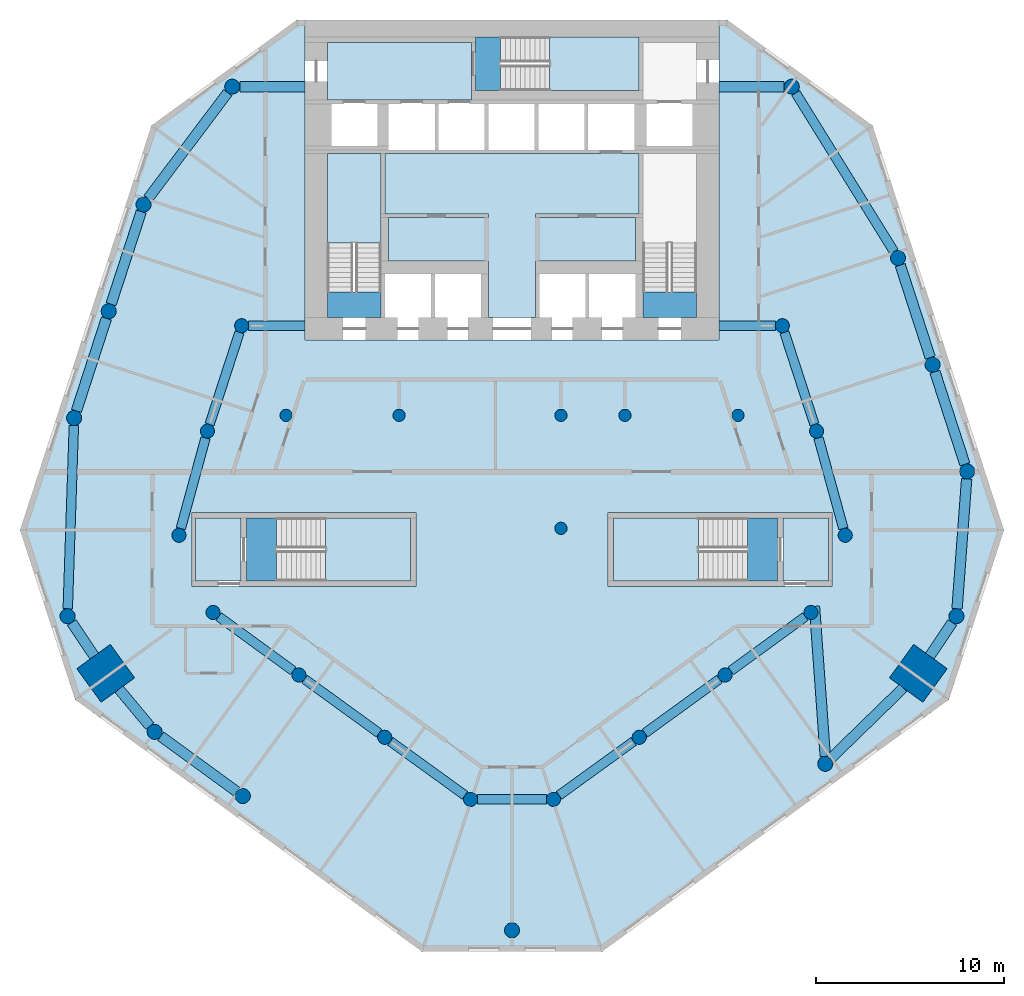
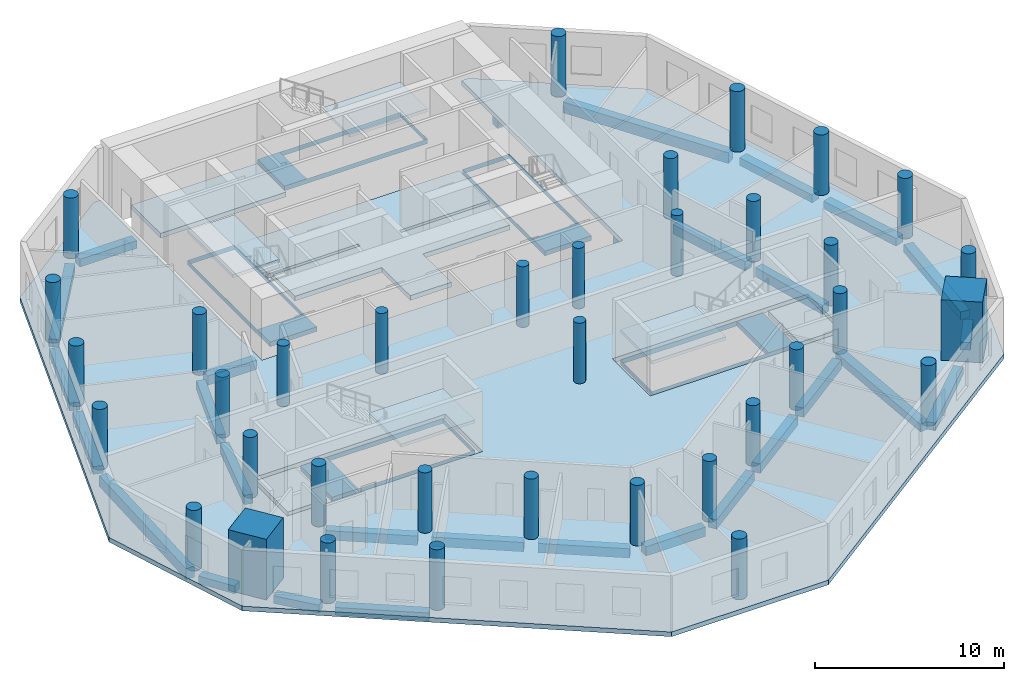
# One storey, part 1 of 9: 36 columns, 29 beams, 14 slabs, 4 elements without a shape of their own.
"""IFC4 building model written with IfcOpenShell, lengths in metres."""

import ifcopenshell
import ifcopenshell.guid

model = None  # the IFC model being written
_history = None  # IfcOwnerHistory: only IFC2X3 demands one
_inside = {}  # id of a spatial element -> (the spatial element, [elements in it])
_under = {}  # id of a project, library or spatial element -> (it, [spatial elements below it])
_declared = {}  # id of a project -> (the project, [libraries it declares])
_typed = {}  # id of a type object -> (the type object, [elements of that type])
_made_of = {}  # id of a material, layer set ... -> (it, [elements and type objects made of it])


def new_model(schema):
    """Start an empty IFC model of exactly this schema.

    Asked for "IFC4X3", IfcOpenShell would pick the latest addendum, in which some entities
    have other attributes; the version numbers below select the first issue.
    IFC2X3 requires an IfcOwnerHistory on every rooted entity: one is made here for all.
    """
    global model, _history
    if schema == "IFC4X3":
        model = ifcopenshell.file(schema_version=(4, 3, 0, 0))
    else:
        model = ifcopenshell.file(schema=schema)
    _inside.clear()
    _under.clear()
    _declared.clear()
    _typed.clear()
    _made_of.clear()
    _history = None
    if model.schema == "IFC2X3":
        org = make("IfcOrganization", Name="unknown")
        user = make(
            "IfcPersonAndOrganization",
            ThePerson=make("IfcPerson", FamilyName="unknown"),
            TheOrganization=org,
        )
        app = make(
            "IfcApplication",
            ApplicationDeveloper=org,
            Version="unknown",
            ApplicationFullName="unknown",
            ApplicationIdentifier="unknown",
        )
        _history = make(
            "IfcOwnerHistory",
            OwningUser=user,
            OwningApplication=app,
            ChangeAction="ADDED",
            CreationDate=0,
        )
    return model


def make(cls, **values):
    """One entity of the class cls with the attributes given. An attribute that is None is left unset."""
    return model.create_entity(
        cls, **{name: value for name, value in values.items() if value is not None}
    )


def rooted(cls, **values):
    """An entity with a GlobalId (a new one), such as an element, a storey or a relation."""
    return make(cls, GlobalId=ifcopenshell.guid.new(), OwnerHistory=_history, **values)


def si_unit(unit_type, name, prefix=None):
    """IfcSIUnit, for example si_unit("LENGTHUNIT", "METRE", prefix="MILLI")."""
    return make("IfcSIUnit", UnitType=unit_type, Prefix=prefix, Name=name)


def assignment(units):
    """IfcUnitAssignment: the units of a project."""
    return None if units is None else make("IfcUnitAssignment", Units=units)


def point(xyz):
    """IfcCartesianPoint."""
    return None if xyz is None else make("IfcCartesianPoint", Coordinates=xyz)


def direction(xyz):
    """IfcDirection."""
    return None if xyz is None else make("IfcDirection", DirectionRatios=xyz)


def frame(location, z_axis=None, x_axis=None):
    """IfcAxis2Placement3D, a coordinate frame: its origin and axes. An axis left out is left unset."""
    return make(
        "IfcAxis2Placement3D",
        Location=point(location),
        Axis=direction(z_axis),
        RefDirection=direction(x_axis),
    )


def frame_2d(location, x_axis=None):
    """IfcAxis2Placement2D, a coordinate frame in the plane: its origin and x axis."""
    return make(
        "IfcAxis2Placement2D", Location=point(location), RefDirection=direction(x_axis)
    )


def origin():
    """The frame at (0, 0, 0) with its axes left unset."""
    return frame((0.0, 0.0, 0.0))


def origin_2d():
    """The frame at (0, 0) in the plane with its x axis left unset."""
    return frame_2d((0.0, 0.0))


def place(relative_to, where):
    """IfcLocalPlacement: puts the frame where relative to a parent placement (None: the world)."""
    return make(
        "IfcLocalPlacement", PlacementRelTo=relative_to, RelativePlacement=where
    )


def context(
    kind, dimensions, precision=None, world=None, true_north=None, identifier=None
):
    """IfcGeometricRepresentationContext, for example the 3D "Model" context."""
    return make(
        "IfcGeometricRepresentationContext",
        ContextIdentifier=identifier,
        ContextType=kind,
        CoordinateSpaceDimension=dimensions,
        Precision=precision,
        WorldCoordinateSystem=world,
        TrueNorth=true_north,
    )


def subcontext(parent, identifier, kind, view, scale=None):
    """IfcGeometricRepresentationSubContext, for example "Body" below "Model"."""
    return make(
        "IfcGeometricRepresentationSubContext",
        ContextIdentifier=identifier,
        ContextType=kind,
        ParentContext=parent,
        TargetScale=scale,
        TargetView=view,
    )


def project(units=None, contexts=None):
    """IfcProject with its units and contexts."""
    return rooted(
        "IfcProject",
        Name="project",
        RepresentationContexts=contexts,
        UnitsInContext=assignment(units),
    )


def spatial(cls, under=None, at=None, **own):
    """A site, building, storey or space (cls), placed at a placement, below another one or the project."""
    s = rooted(cls, ObjectPlacement=at, **own)
    if under is not None:
        _under.setdefault(under.id(), (under, []))[1].append(s)
    return s


def polyline(points):
    """IfcPolyline through the points."""
    return make("IfcPolyline", Points=[point(p) for p in points])


def profile(cls, at=None, kind="AREA", **sizes):
    """A parametric profile (cls). Its sizes go by their IFC names, for example OverallWidth=200.0."""
    return make(cls, ProfileType=kind, Position=at, **sizes)


def rectangle(**sizes):
    """IfcRectangleProfileDef."""
    return profile("IfcRectangleProfileDef", **sizes)


def circle(**sizes):
    """IfcCircleProfileDef."""
    return profile("IfcCircleProfileDef", **sizes)


def outline(outer, holes=None, kind="AREA"):
    """IfcArbitraryClosedProfileDef: a profile drawn as a closed curve; with holes, ...WithVoids."""
    if holes is None:
        return make("IfcArbitraryClosedProfileDef", ProfileType=kind, OuterCurve=outer)
    return make(
        "IfcArbitraryProfileDefWithVoids",
        ProfileType=kind,
        OuterCurve=outer,
        InnerCurves=holes,
    )


def extrude(swept, where, along, depth):
    """IfcExtrudedAreaSolid: the profile swept, set in the frame where, extruded along a direction by depth."""
    return make(
        "IfcExtrudedAreaSolid",
        SweptArea=swept,
        Position=where,
        ExtrudedDirection=direction(along),
        Depth=depth,
    )


def shape(context_of_items, identifier, shape_type, items):
    """IfcShapeRepresentation: the items that make up one representation, for example the "Body"."""
    return make(
        "IfcShapeRepresentation",
        ContextOfItems=context_of_items,
        RepresentationIdentifier=identifier,
        RepresentationType=shape_type,
        Items=items,
    )


def material(Name=None, Category=None):
    """IfcMaterial."""
    return make("IfcMaterial", Name=Name, Category=Category)


def layer(
    of_material, thickness, ventilated=None, Name=None, Category=None, Priority=None
):
    """IfcMaterialLayer: one layer of a wall or slab, of a material (None: an air gap)."""
    return make(
        "IfcMaterialLayer",
        Material=of_material,
        LayerThickness=thickness,
        IsVentilated=ventilated,
        Name=Name,
        Category=Category,
        Priority=Priority,
    )


def layer_set(layers, Name=None):
    """IfcMaterialLayerSet."""
    return make("IfcMaterialLayerSet", MaterialLayers=layers, LayerSetName=Name)


def material_profile(
    of_material, cross_section, Name=None, Category=None, Priority=None
):
    """IfcMaterialProfile: a cross section and its material."""
    return make(
        "IfcMaterialProfile",
        Name=Name,
        Material=of_material,
        Profile=cross_section,
        Priority=Priority,
        Category=Category,
    )


def profile_set(profiles, Name=None, composite=None):
    """IfcMaterialProfileSet."""
    return make(
        "IfcMaterialProfileSet",
        Name=Name,
        MaterialProfiles=profiles,
        CompositeProfile=composite,
    )


def made_of(thing, what):
    """Note that an element or type object is made of a material, layer set ...; save() writes the relation."""
    if what is not None:
        _made_of.setdefault(what.id(), (what, []))[1].append(thing)
    return thing


def type_object(cls, material=None, **own):
    """A type object (cls), such as IfcWallType, which elements share."""
    return made_of(rooted(cls, **own), material)


def element(
    cls,
    number,
    at=None,
    inside=None,
    cuts=None,
    type_object=None,
    material=None,
    context=None,
    identifier="Body",
    shape_type=None,
    held_by="IfcProductDefinitionShape",
    body=None,
    shapes=None,
    **own,
):
    """One element of the class cls, such as IfcWall. Its Tag is "e" and its number.

    at: its placement. inside: the storey or other place that contains it. cuts: it is an
    opening in that element (IfcRelVoidsElement). A single representation is given by context,
    identifier, shape_type and body (its items); several are given by shapes. held_by: the class
    of the entity that holds the representations. save() writes the other relations.
    """
    e = rooted(cls, Tag="e%d" % number, ObjectPlacement=at, **own)
    if body is not None:
        shapes = [shape(context, identifier, shape_type, body)]
    if shapes is not None:
        e.Representation = make(held_by, Representations=shapes)
    if inside is not None:
        _inside.setdefault(inside.id(), (inside, []))[1].append(e)
    if cuts is not None:
        rooted(
            "IfcRelVoidsElement", RelatingBuildingElement=cuts, RelatedOpeningElement=e
        )
    if type_object is not None:
        _typed.setdefault(type_object.id(), (type_object, []))[1].append(e)
    return made_of(e, material)


def aggregate(whole, parts):
    """IfcRelAggregates: a whole, such as a stair, and the parts it consists of."""
    return rooted("IfcRelAggregates", RelatingObject=whole, RelatedObjects=parts)


def save(model, path):
    """Write the relations noted so far, then the file.

    IfcRelAggregates (storeys below a building ...), IfcRelContainedInSpatialStructure (elements
    in a storey), IfcRelDefinesByType, IfcRelAssociatesMaterial and IfcRelDeclares: one each for
    every whole, place, type object, material and project.
    """
    for whole, parts in _under.values():
        aggregate(whole, parts)
    for where, things in _inside.values():
        rooted(
            "IfcRelContainedInSpatialStructure",
            RelatedElements=things,
            RelatingStructure=where,
        )
    for kind, things in _typed.values():
        rooted("IfcRelDefinesByType", RelatedObjects=things, RelatingType=kind)
    for what, things in _made_of.values():
        rooted("IfcRelAssociatesMaterial", RelatedObjects=things, RelatingMaterial=what)
    for by, libraries in _declared.values():
        rooted("IfcRelDeclares", RelatingContext=by, RelatedDefinitions=libraries)
    model.write(path)


model = new_model("IFC4")

# Units and contexts
model_context = context("Model", 3, precision=1e-05, world=origin(), true_north=direction((0.0, 1.0)))
body_context = subcontext(model_context, "Body", "Model", "MODEL_VIEW")
ifc_project = project(units=[si_unit("LENGTHUNIT", "METRE"), si_unit("AREAUNIT", "SQUARE_METRE"), si_unit("VOLUMEUNIT", "CUBIC_METRE"), si_unit("PLANEANGLEUNIT", "RADIAN"), si_unit("MASSUNIT", "GRAM", prefix="KILO")], contexts=[model_context])

# Site, building, storey
site_placement = place(None, origin())
site = spatial("IfcSite", under=ifc_project, at=site_placement, CompositionType="ELEMENT")
building_placement = place(site_placement, origin())
building = spatial("IfcBuilding", under=site, at=building_placement, Name="White Candle Pilgrim Tower", CompositionType="ELEMENT")
storey_placement = place(building_placement, frame((0.0, 0.0, 70.199951171875)))
storey = spatial("IfcBuildingStorey", under=building, at=storey_placement, Name="L14", CompositionType="ELEMENT", Elevation=70.199951171875)

# Columns
ifc_material_1 = material(Name="Concrete C80/95", Category="concrete")
ifc_material_profile_1 = material_profile(ifc_material_1, circle(Radius=0.324951171875, at=origin_2d()), Name="RC-COL D650")
ifc_profile_set_1 = profile_set([ifc_material_profile_1], Name="Concrete C80/95")
column_type_1 = type_object("IfcColumnType", Name="Interior column RC-COL D650 C80/95", PredefinedType="COLUMN", material=ifc_profile_set_1)
for number, where, z_axis, x_axis, name in (
    (1, (58.0, 67.0, 0.0), (0.0, 0.0, 1.0), (1.0, 0.0, 0.0), "L14 column I01"),
    (2, (64.0, 67.0, 0.0), (0.0, 0.0, 1.0), (1.0, 0.0, 0.0), "L14 column I02"),
    (3, (72.60009765625, 61.0, 0.0), (0.0, 0.0, 1.0), (1.0, 0.0, 0.0), "L14 column I03"),
    (4, (72.60009765625, 67.0, 0.0), (0.0, 0.0, 1.0), (1.0, 0.0, 0.0), "L14 column I04"),
    (5, (76.0, 67.0, 0.0), (0.0, 0.0, 1.0), (1.0, 0.0, 0.0), "L14 column I05"),
    (6, (82.0, 67.0, 0.0), (0.0, 0.0, 1.0), (1.0, 0.0, 0.0), "L14 column I06"),
):
    element("IfcColumn", number, at=place(storey_placement, frame(where, z_axis=z_axis, x_axis=x_axis)), inside=storey, type_object=column_type_1, Name=name, PredefinedType="COLUMN", context=body_context, shape_type="SweptSolid", body=[
        extrude(circle(Radius=0.324951171875, at=origin_2d()), origin(), (0.0, 0.0, 1.0), 3.900146484375),
    ])
ifc_material_profile_2 = material_profile(ifc_material_1, rectangle(XDim=2.199951171875, YDim=2.199951171875, at=origin_2d()), Name="RC 2200x2200")
ifc_profile_set_2 = profile_set([ifc_material_profile_2], Name="Concrete C80/95")
column_type_2 = type_object("IfcColumnType", Name="Mega column RC 2200x2200 C80/95", PredefinedType="COLUMN", material=ifc_profile_set_2)
for number, where, z_axis, x_axis, name in (
    (7, (48.419921875, 53.300048828125, 0.0), (0.0, 0.0, 1.0), (-0.809016994375, -0.587785252292, 0.0), "L14 mega column T02"),
    (8, (91.580078125, 53.300048828125, 0.0), (0.0, 0.0, 1.0), (0.809016994375, -0.587785252292, 0.0), "L14 mega column T07"),
):
    element("IfcColumn", number, at=place(storey_placement, frame(where, z_axis=z_axis, x_axis=x_axis)), inside=storey, type_object=column_type_2, Name=name, PredefinedType="COLUMN", context=body_context, shape_type="SweptSolid", body=[
        extrude(rectangle(XDim=2.199951171875, YDim=2.199951171875, at=origin_2d()), origin(), (0.0, 0.0, 1.0), 3.900146484375),
    ])
ifc_material_profile_3 = material_profile(ifc_material_1, circle(Radius=0.39990234375, at=origin_2d()), Name="RC-COL D800")
ifc_profile_set_3 = profile_set([ifc_material_profile_3], Name="Concrete C80/95")
column_type_3 = type_object("IfcColumnType", Name="Perimeter column RC-COL D800 C80/95", PredefinedType="COLUMN", material=ifc_profile_set_3)
for number, where, z_axis, x_axis, name in (
    (9, (46.389892578125, 56.330078125, 0.0), (0.0, 0.0, 1.0), (1.0, 0.0, 0.0), "L14 column T01"),
    (10, (51.02001953125, 50.18994140625, 0.0), (0.0, 0.0, 1.0), (1.0, 0.0, 0.0), "L14 column T03"),
    (11, (55.699951171875, 46.780029296875, 0.0), (0.0, 0.0, 1.0), (1.0, 0.0, 0.0), "L14 column T04"),
    (12, (70.0, 39.64990234375, 0.0), (0.0, 0.0, 1.0), (1.0, 0.0, 0.0), "L14 column T05"),
    (13, (86.639892578125, 48.489990234375, 0.0), (0.0, 0.0, 1.0), (1.0, 0.0, 0.0), "L14 column T06"),
    (14, (93.610107421875, 56.330078125, 0.0), (0.0, 0.0, 1.0), (1.0, 0.0, 0.0), "L14 column T08"),
    (15, (94.179931640625, 64.02001953125, 0.0), (0.0, 0.0, 1.0), (1.0, 0.0, 0.0), "L14 column T09"),
    (16, (92.340087890625, 69.68994140625, 0.0), (0.0, 0.0, 1.0), (1.0, 0.0, 0.0), "L14 column T10"),
    (17, (90.5, 75.360107421875, 0.0), (0.0, 0.0, 1.0), (1.0, 0.0, 0.0), "L14 column T11"),
    (18, (84.860107421875, 84.4599609375, 0.0), (0.0, 0.0, 1.0), (1.0, 0.0, 0.0), "L14 column T12"),
    (19, (55.139892578125, 84.4599609375, 0.0), (0.0, 0.0, 1.0), (1.0, 0.0, 0.0), "L14 column T13"),
    (20, (50.429931640625, 78.199951171875, 0.0), (0.0, 0.0, 1.0), (1.0, 0.0, 0.0), "L14 column T14"),
    (21, (48.580078125, 72.530029296875, 0.0), (0.0, 0.0, 1.0), (1.0, 0.0, 0.0), "L14 column T15"),
    (22, (46.739990234375, 66.860107421875, 0.0), (0.0, 0.0, 1.0), (1.0, 0.0, 0.0), "L14 column T16"),
):
    element("IfcColumn", number, at=place(storey_placement, frame(where, z_axis=z_axis, x_axis=x_axis)), inside=storey, type_object=column_type_3, Name=name, PredefinedType="COLUMN", context=body_context, shape_type="SweptSolid", body=[
        extrude(circle(Radius=0.39990234375, at=origin_2d()), origin(), (0.0, 0.0, 1.0), 3.900146484375),
    ])
ifc_material_profile_4 = material_profile(ifc_material_1, circle(Radius=0.375, at=origin_2d()), Name="RC-COL D750")
ifc_profile_set_4 = profile_set([ifc_material_profile_4], Name="Concrete C80/95")
column_type_4 = type_object("IfcColumnType", Name="Ring column RC-COL D750 C80/95", PredefinedType="COLUMN", material=ifc_profile_set_4)
for number, where, z_axis, x_axis, name in (
    (23, (52.31005859375, 60.6298828125, 0.0), (0.0, 0.0, 1.0), (1.0, 0.0, 0.0), "L14 column R01"),
    (24, (54.1201171875, 56.530029296875, 0.0), (0.0, 0.0, 1.0), (1.0, 0.0, 0.0), "L14 column R02"),
    (25, (58.679931640625, 53.2099609375, 0.0), (0.0, 0.0, 1.0), (1.0, 0.0, 0.0), "L14 column R03"),
    (26, (63.239990234375, 49.89990234375, 0.0), (0.0, 0.0, 1.0), (1.0, 0.0, 0.0), "L14 column R04"),
    (27, (67.800048828125, 46.60009765625, 0.0), (0.0, 0.0, 1.0), (1.0, 0.0, 0.0), "L14 column R05"),
    (28, (72.199951171875, 46.60009765625, 0.0), (0.0, 0.0, 1.0), (1.0, 0.0, 0.0), "L14 column R06"),
    (29, (76.760009765625, 49.89990234375, 0.0), (0.0, 0.0, 1.0), (1.0, 0.0, 0.0), "L14 column R07"),
    (30, (81.320068359375, 53.2099609375, 0.0), (0.0, 0.0, 1.0), (1.0, 0.0, 0.0), "L14 column R08"),
    (31, (85.8798828125, 56.530029296875, 0.0), (0.0, 0.0, 1.0), (1.0, 0.0, 0.0), "L14 column R09"),
    (32, (87.699951171875, 60.6298828125, 0.0), (0.0, 0.0, 1.0), (1.0, 0.0, 0.0), "L14 column R10"),
    (33, (86.179931640625, 66.159912109375, 0.0), (0.0, 0.0, 1.0), (1.0, 0.0, 0.0), "L14 column R11"),
    (34, (84.360107421875, 71.760009765625, 0.0), (0.0, 0.0, 1.0), (1.0, 0.0, 0.0), "L14 column R12"),
    (35, (55.639892578125, 71.760009765625, 0.0), (0.0, 0.0, 1.0), (1.0, 0.0, 0.0), "L14 column R13"),
    (36, (53.820068359375, 66.159912109375, 0.0), (0.0, 0.0, 1.0), (1.0, 0.0, 0.0), "L14 column R14"),
):
    element("IfcColumn", number, at=place(storey_placement, frame(where, z_axis=z_axis, x_axis=x_axis)), inside=storey, type_object=column_type_4, Name=name, PredefinedType="COLUMN", context=body_context, shape_type="SweptSolid", body=[
        extrude(circle(Radius=0.375, at=origin_2d()), origin(), (0.0, 0.0, 1.0), 3.900146484375),
    ])

# Beams
ifc_material_2 = material(Name="Concrete C50/60", Category="concrete")
ifc_material_profile_5 = material_profile(ifc_material_2, rectangle(XDim=0.5, YDim=0.60009765625, at=origin_2d()), Name="RC-BM 500x600")
ifc_profile_set_5 = profile_set([ifc_material_profile_5], Name="Concrete C50/60")
beam_type_1 = type_object("IfcBeamType", Name="Ring beam RC-BM 500x600 C50/60", PredefinedType="BEAM", material=ifc_profile_set_5)
beam_1_placement = place(storey_placement, frame((54.423095703125, 56.309326171875, -0.599853515625), z_axis=(0.808431607518, -0.58859012561, 0.0), x_axis=(0.58859012561, 0.808431607518, 0.0)))
element("IfcBeam", 37, at=beam_1_placement, inside=storey, type_object=beam_type_1, Name="L14 ring beam R01", PredefinedType="BEAM", context=body_context, shape_type="SweptSolid", body=[
    extrude(rectangle(XDim=0.5, YDim=0.60009765625, at=origin_2d()), origin(), (0.0, 0.0, 1.0), 4.890869140625),
])
beam_2_placement = place(storey_placement, frame((58.9833984375, 52.98974609375, -0.599853515625), z_axis=(0.809276033964, -0.587428549572, 0.0), x_axis=(0.587428549572, 0.809276033964, 0.0)))
element("IfcBeam", 38, at=beam_2_placement, inside=storey, type_object=beam_type_1, Name="L14 ring beam R02", PredefinedType="BEAM", context=body_context, shape_type="SweptSolid", body=[
    extrude(rectangle(XDim=0.5, YDim=0.60009765625, at=origin_2d()), origin(), (0.0, 0.0, 1.0), 4.885009765625),
])
beam_3_placement = place(storey_placement, frame((63.543701171875, 49.680419921875, -0.599853515625), z_axis=(0.810079795278, -0.586319644291, 0.0), x_axis=(0.586319644291, 0.810079795278, 0.0)))
element("IfcBeam", 39, at=beam_3_placement, inside=storey, type_object=beam_type_1, Name="L14 ring beam R03", PredefinedType="BEAM", context=body_context, shape_type="SweptSolid", body=[
    extrude(rectangle(XDim=0.5, YDim=0.60009765625, at=origin_2d()), origin(), (0.0, 0.0, 1.0), 4.87939453125),
])
beam_4_placement = place(storey_placement, frame((68.175048828125, 46.60009765625, -0.599853515625), z_axis=(1.0, 0.0, 0.0), x_axis=(0.0, 1.0, 0.0)))
element("IfcBeam", 40, at=beam_4_placement, inside=storey, type_object=beam_type_1, Name="L14 ring beam R04", PredefinedType="BEAM", context=body_context, shape_type="SweptSolid", body=[
    extrude(rectangle(XDim=0.5, YDim=0.60009765625, at=origin_2d()), origin(), (0.0, 0.0, 1.0), 3.64990234375),
])
beam_5_placement = place(storey_placement, frame((72.503662109375, 46.819580078125, -0.599853515625), z_axis=(0.810079795278, 0.586319644291, 0.0), x_axis=(-0.586319644291, 0.810079795278, 0.0)))
element("IfcBeam", 41, at=beam_5_placement, inside=storey, type_object=beam_type_1, Name="L14 ring beam R05", PredefinedType="BEAM", context=body_context, shape_type="SweptSolid", body=[
    extrude(rectangle(XDim=0.5, YDim=0.60009765625, at=origin_2d()), origin(), (0.0, 0.0, 1.0), 4.87939453125),
])
beam_6_placement = place(storey_placement, frame((77.063232421875, 50.1201171875, -0.599853515625), z_axis=(0.809276033964, 0.587428549572, 0.0), x_axis=(-0.587428549572, 0.809276033964, 0.0)))
element("IfcBeam", 42, at=beam_6_placement, inside=storey, type_object=beam_type_1, Name="L14 ring beam R06", PredefinedType="BEAM", context=body_context, shape_type="SweptSolid", body=[
    extrude(rectangle(XDim=0.5, YDim=0.60009765625, at=origin_2d()), origin(), (0.0, 0.0, 1.0), 4.885009765625),
])
beam_7_placement = place(storey_placement, frame((81.623046875, 53.4306640625, -0.599853515625), z_axis=(0.808431607518, 0.58859012561, 0.0), x_axis=(-0.58859012561, 0.808431607518, 0.0)))
element("IfcBeam", 43, at=beam_7_placement, inside=storey, type_object=beam_type_1, Name="L14 ring beam R07", PredefinedType="BEAM", context=body_context, shape_type="SweptSolid", body=[
    extrude(rectangle(XDim=0.5, YDim=0.60009765625, at=origin_2d()), origin(), (0.0, 0.0, 1.0), 4.890869140625),
])
beam_8_placement = place(storey_placement, frame((87.6005859375, 60.991455078125, -0.599853515625), z_axis=(-0.265031278819, 0.964239815216, 0.0), x_axis=(-0.964239815216, -0.265031278819, 0.0)))
element("IfcBeam", 44, at=beam_8_placement, inside=storey, type_object=beam_type_1, Name="L14 ring beam R08", PredefinedType="BEAM", context=body_context, shape_type="SweptSolid", body=[
    extrude(rectangle(XDim=0.5, YDim=0.60009765625, at=origin_2d()), origin(), (0.0, 0.0, 1.0), 4.9853515625),
])
beam_9_placement = place(storey_placement, frame((86.064208984375, 66.5166015625, -0.599853515625), z_axis=(-0.309106483996, 0.9510274347, 0.0), x_axis=(-0.9510274347, -0.309106483996, 0.0)))
element("IfcBeam", 45, at=beam_9_placement, inside=storey, type_object=beam_type_1, Name="L14 ring beam R09", PredefinedType="BEAM", context=body_context, shape_type="SweptSolid", body=[
    extrude(rectangle(XDim=0.5, YDim=0.60009765625, at=origin_2d()), origin(), (0.0, 0.0, 1.0), 5.138671875),
])
for number, where, z_axis, x_axis, name in (
    (46, (83.985107421875, 71.760009765625, -0.599853515625), (-1.0, 0.0, 0.0), (0.0, -1.0, 0.0), "L14 ring beam R10"),
    (47, (56.014892578125, 71.760009765625, -0.599853515625), (1.0, 0.0, 0.0), (0.0, 1.0, 0.0), "L14 ring beam R11"),
):
    element("IfcBeam", number, at=place(storey_placement, frame(where, z_axis=z_axis, x_axis=x_axis)), inside=storey, type_object=beam_type_1, Name=name, PredefinedType="BEAM", context=body_context, shape_type="SweptSolid", body=[
        extrude(rectangle(XDim=0.5, YDim=0.60009765625, at=origin_2d()), origin(), (0.0, 0.0, 1.0), 2.985107421875),
    ])
beam_10_placement = place(storey_placement, frame((55.524169921875, 71.403564453125, -0.599853515625), z_axis=(-0.309106483996, -0.9510274347, 0.0), x_axis=(0.9510274347, -0.309106483996, 0.0)))
element("IfcBeam", 48, at=beam_10_placement, inside=storey, type_object=beam_type_1, Name="L14 ring beam R12", PredefinedType="BEAM", context=body_context, shape_type="SweptSolid", body=[
    extrude(rectangle(XDim=0.5, YDim=0.60009765625, at=origin_2d()), origin(), (0.0, 0.0, 1.0), 5.138671875),
])
beam_11_placement = place(storey_placement, frame((53.72119140625, 65.79833984375, -0.599853515625), z_axis=(-0.263415907103, -0.964682362172, 0.0), x_axis=(0.964682362172, -0.263415907103, 0.0)))
element("IfcBeam", 49, at=beam_11_placement, inside=storey, type_object=beam_type_1, Name="L14 ring beam R13", PredefinedType="BEAM", context=body_context, shape_type="SweptSolid", body=[
    extrude(rectangle(XDim=0.5, YDim=0.60009765625, at=origin_2d()), origin(), (0.0, 0.0, 1.0), 4.982666015625),
])
ifc_material_profile_6 = material_profile(ifc_material_2, rectangle(XDim=0.5, YDim=0.699951171875, at=origin_2d()), Name="RC-BM 500x700")
ifc_profile_set_6 = profile_set([ifc_material_profile_6], Name="Concrete C50/60")
beam_type_2 = type_object("IfcBeamType", Name="Spandrel beam RC-BM 500x700 C50/60", PredefinedType="BEAM", material=ifc_profile_set_6)
beam_12_placement = place(storey_placement, frame((90.289306640625, 75.69970703125, -0.64990234375), z_axis=(-0.526800809553, 0.849988768781, 0.0), x_axis=(-0.849988768781, -0.526800809553, 0.0)))
element("IfcBeam", 50, at=beam_12_placement, inside=storey, type_object=beam_type_2, Name="L14 spandrel beam T10", PredefinedType="BEAM", context=body_context, shape_type="SweptSolid", body=[
    extrude(rectangle(XDim=0.5, YDim=0.699951171875, at=origin_2d()), origin(), (0.0, 0.0, 1.0), 9.906494140625),
])
beam_13_placement = place(storey_placement, frame((46.726806640625, 66.46044921875, -0.64990234375), z_axis=(-0.033224659514, -0.999447908598, 0.0), x_axis=(0.999447908598, -0.033224659514, 0.0)))
element("IfcBeam", 51, at=beam_13_placement, inside=storey, type_object=beam_type_2, Name="L14 spandrel beam T16", PredefinedType="BEAM", context=body_context, shape_type="SweptSolid", body=[
    extrude(rectangle(XDim=0.5, YDim=0.699951171875, at=origin_2d()), origin(), (0.0, 0.0, 1.0), 9.736328125),
])
ifc_material_profile_7 = material_profile(ifc_material_2, rectangle(XDim=0.550048828125, YDim=0.5, at=origin_2d()), Name="RC-BM 550x500")
ifc_profile_set_7 = profile_set([ifc_material_profile_7], Name="Concrete C50/60")
beam_type_3 = type_object("IfcBeamType", Name="Spandrel beam RC-BM 550x500 C50/60", PredefinedType="BEAM", material=ifc_profile_set_7)
beam_14_placement = place(storey_placement, frame((46.612548828125, 55.997802734375, -0.550048828125), z_axis=(0.556641005169, -0.830753147069, 0.0), x_axis=(0.830753147069, 0.556641005169, 0.0)))
element("IfcBeam", 52, at=beam_14_placement, inside=storey, type_object=beam_type_3, Name="L14 spandrel beam T01", PredefinedType="BEAM", context=body_context, shape_type="SweptSolid", body=[
    extrude(rectangle(XDim=0.550048828125, YDim=0.5, at=origin_2d()), origin(), (0.0, 0.0, 1.0), 2.146484375),
])
beam_15_placement = place(storey_placement, frame((49.127197265625, 52.4541015625, -0.550048828125), z_axis=(0.641388324436, -0.767216408373, 0.0), x_axis=(0.767216408373, 0.641388324436, 0.0)))
element("IfcBeam", 53, at=beam_15_placement, inside=storey, type_object=beam_type_3, Name="L14 spandrel beam T02", PredefinedType="BEAM", context=body_context, shape_type="SweptSolid", body=[
    extrude(rectangle(XDim=0.550048828125, YDim=0.5, at=origin_2d()), origin(), (0.0, 0.0, 1.0), 2.551513671875),
])
beam_16_placement = place(storey_placement, frame((51.343017578125, 49.95458984375, -0.550048828125), z_axis=(0.808217539001, -0.588884037525, 0.0), x_axis=(0.588884037525, 0.808217539001, 0.0)))
element("IfcBeam", 54, at=beam_16_placement, inside=storey, type_object=beam_type_3, Name="L14 spandrel beam T03", PredefinedType="BEAM", context=body_context, shape_type="SweptSolid", body=[
    extrude(rectangle(XDim=0.550048828125, YDim=0.5, at=origin_2d()), origin(), (0.0, 0.0, 1.0), 4.9912109375),
])
beam_17_placement = place(storey_placement, frame((86.639892578125, 48.889892578125, -0.550048828125), z_axis=(-0.071694624988, 0.997426629255, 0.0), x_axis=(-0.997426629255, -0.071694624988, 0.0)))
element("IfcBeam", 55, at=beam_17_placement, inside=storey, type_object=beam_type_3, Name="L14 spandrel beam T04", PredefinedType="BEAM", context=body_context, shape_type="SweptSolid", body=[
    extrude(rectangle(XDim=0.550048828125, YDim=0.5, at=origin_2d()), origin(), (0.0, 0.0, 1.0), 7.9853515625),
])
beam_18_placement = place(storey_placement, frame((86.926513671875, 48.768798828125, -0.550048828125), z_axis=(0.716462232914, 0.697625880259, 0.0), x_axis=(-0.697625880259, 0.716462232914, 0.0)))
element("IfcBeam", 56, at=beam_18_placement, inside=storey, type_object=beam_type_3, Name="L14 spandrel beam T05", PredefinedType="BEAM", context=body_context, shape_type="SweptSolid", body=[
    extrude(rectangle(XDim=0.550048828125, YDim=0.5, at=origin_2d()), origin(), (0.0, 0.0, 1.0), 5.37890625),
])
beam_19_placement = place(storey_placement, frame((92.192626953125, 54.214599609375, -0.550048828125), z_axis=(0.556641005169, 0.830753147069, 0.0), x_axis=(-0.830753147069, 0.556641005169, 0.0)))
element("IfcBeam", 57, at=beam_19_placement, inside=storey, type_object=beam_type_3, Name="L14 spandrel beam T06", PredefinedType="BEAM", context=body_context, shape_type="SweptSolid", body=[
    extrude(rectangle(XDim=0.550048828125, YDim=0.5, at=origin_2d()), origin(), (0.0, 0.0, 1.0), 2.146484375),
])
beam_20_placement = place(storey_placement, frame((93.6396484375, 56.728759765625, -0.550048828125), z_axis=(0.073900311906, 0.99726563357, 0.0), x_axis=(-0.99726563357, 0.073900311906, 0.0)))
element("IfcBeam", 58, at=beam_20_placement, inside=storey, type_object=beam_type_3, Name="L14 spandrel beam T07", PredefinedType="BEAM", context=body_context, shape_type="SweptSolid", body=[
    extrude(rectangle(XDim=0.550048828125, YDim=0.5, at=origin_2d()), origin(), (0.0, 0.0, 1.0), 6.9111328125),
])
for number, where, z_axis, x_axis, name in (
    (59, (94.056640625, 64.400390625, -0.550048828125), (-0.308682827488, 0.951165028801, 0.0), (-0.951165028801, -0.308682827488, 0.0), "L14 spandrel beam T08"),
    (60, (92.216552734375, 70.0703125, -0.550048828125), (-0.308682827488, 0.951165028801, 0.0), (-0.951165028801, -0.308682827488, 0.0), "L14 spandrel beam T09"),
):
    element("IfcBeam", number, at=place(storey_placement, frame(where, z_axis=z_axis, x_axis=x_axis)), inside=storey, type_object=beam_type_3, Name=name, PredefinedType="BEAM", context=body_context, shape_type="SweptSolid", body=[
        extrude(rectangle(XDim=0.550048828125, YDim=0.5, at=origin_2d()), origin(), (0.0, 0.0, 1.0), 5.161376953125),
    ])
for number, where, z_axis, x_axis, name in (
    (61, (84.4599609375, 84.4599609375, -0.550048828125), (-1.0, 0.0, 0.0), (0.0, -1.0, 0.0), "L14 spandrel beam T11"),
    (62, (55.5400390625, 84.4599609375, -0.550048828125), (1.0, 0.0, 0.0), (0.0, 1.0, 0.0), "L14 spandrel beam T12"),
):
    element("IfcBeam", number, at=place(storey_placement, frame(where, z_axis=z_axis, x_axis=x_axis)), inside=storey, type_object=beam_type_3, Name=name, PredefinedType="BEAM", context=body_context, shape_type="SweptSolid", body=[
        extrude(rectangle(XDim=0.550048828125, YDim=0.5, at=origin_2d()), origin(), (0.0, 0.0, 1.0), 3.4599609375),
    ])
beam_21_placement = place(storey_placement, frame((54.899658203125, 84.140380859375, -0.550048828125), z_axis=(-0.601237643972, -0.79907026942, 0.0), x_axis=(0.79907026942, -0.601237643972, 0.0)))
element("IfcBeam", 63, at=beam_21_placement, inside=storey, type_object=beam_type_3, Name="L14 spandrel beam T13", PredefinedType="BEAM", context=body_context, shape_type="SweptSolid", body=[
    extrude(rectangle(XDim=0.550048828125, YDim=0.5, at=origin_2d()), origin(), (0.0, 0.0, 1.0), 7.0341796875),
])
beam_22_placement = place(storey_placement, frame((50.305908203125, 77.81982421875, -0.550048828125), z_axis=(-0.310165508273, -0.950682574511, 0.0), x_axis=(0.950682574511, -0.310165508273, 0.0)))
element("IfcBeam", 64, at=beam_22_placement, inside=storey, type_object=beam_type_3, Name="L14 spandrel beam T14", PredefinedType="BEAM", context=body_context, shape_type="SweptSolid", body=[
    extrude(rectangle(XDim=0.550048828125, YDim=0.5, at=origin_2d()), origin(), (0.0, 0.0, 1.0), 5.164306640625),
])
beam_23_placement = place(storey_placement, frame((48.45654296875, 72.149658203125, -0.550048828125), z_axis=(-0.308682827488, -0.951165028801, 0.0), x_axis=(0.951165028801, -0.308682827488, 0.0)))
element("IfcBeam", 65, at=beam_23_placement, inside=storey, type_object=beam_type_3, Name="L14 spandrel beam T15", PredefinedType="BEAM", context=body_context, shape_type="SweptSolid", body=[
    extrude(rectangle(XDim=0.550048828125, YDim=0.5, at=origin_2d()), origin(), (0.0, 0.0, 1.0), 5.161376953125),
])

# Slabs
ifc_material_3 = material(Name="Concrete C40/50", Category="concrete")
ifc_layer_1 = layer(ifc_material_3, 0.300048828125)
ifc_layer_set_1 = layer_set([ifc_layer_1], Name="Core floor slab 300 mm Concrete C40/50")
slab_type_1 = type_object("IfcSlabType", Name="Core floor slab 300 mm Concrete C40/50", PredefinedType="FLOOR", material=ifc_layer_set_1)
slab_1_placement = place(storey_placement, frame((0.0, 0.0, -0.300048828125)))
element("IfcSlab", 66, at=slab_1_placement, inside=storey, type_object=slab_type_1, Name="CF-L14-01", PredefinedType="FLOOR", context=body_context, shape_type="SweptSolid", body=[
    extrude(outline(polyline([(55.60009765625, 58.199951171875), (53.199951171875, 58.199951171875), (53.199951171875, 61.550048828125), (55.60009765625, 61.550048828125), (55.60009765625, 58.199951171875)])), origin(), (0.0, 0.0, 1.0), 0.300048828125),
])
slab_2_placement = place(storey_placement, frame((0.0, 0.0, -0.300048828125)))
element("IfcSlab", 67, at=slab_2_placement, inside=storey, type_object=slab_type_1, Name="CF-L14-02", PredefinedType="FLOOR", context=body_context, shape_type="SweptSolid", body=[
    extrude(outline(polyline([(55.89990234375, 58.199951171875), (55.89990234375, 61.550048828125), (64.60009765625, 61.550048828125), (64.60009765625, 58.199951171875), (55.89990234375, 58.199951171875)]), holes=[polyline([(57.501953125, 61.548095703125), (57.501953125, 58.201904296875), (64.597900390625, 58.201904296875), (64.597900390625, 61.548095703125), (57.501953125, 61.548095703125)])]), origin(), (0.0, 0.0, 1.0), 0.300048828125),
])
slab_3_placement = place(storey_placement, frame((0.0, 0.0, -0.300048828125)))
element("IfcSlab", 68, at=slab_3_placement, inside=storey, type_object=slab_type_1, Name="CF-L14-03", PredefinedType="FLOOR", context=body_context, shape_type="SweptSolid", body=[
    extrude(outline(polyline([(75.39990234375, 58.199951171875), (75.39990234375, 61.550048828125), (84.10009765625, 61.550048828125), (84.10009765625, 58.199951171875), (75.39990234375, 58.199951171875)]), holes=[polyline([(82.498046875, 58.201904296875), (82.498046875, 61.548095703125), (75.402099609375, 61.548095703125), (75.402099609375, 58.201904296875), (82.498046875, 58.201904296875)])]), origin(), (0.0, 0.0, 1.0), 0.300048828125),
])
slab_4_placement = place(storey_placement, frame((0.0, 0.0, -0.300048828125)))
element("IfcSlab", 69, at=slab_4_placement, inside=storey, type_object=slab_type_1, Name="CF-L14-04", PredefinedType="FLOOR", context=body_context, shape_type="SweptSolid", body=[
    extrude(outline(polyline([(86.800048828125, 58.199951171875), (84.39990234375, 58.199951171875), (84.39990234375, 61.550048828125), (86.800048828125, 61.550048828125), (86.800048828125, 58.199951171875)])), origin(), (0.0, 0.0, 1.0), 0.300048828125),
])
slab_5_placement = place(storey_placement, frame((0.0, 0.0, -0.300048828125)))
element("IfcSlab", 70, at=slab_5_placement, inside=storey, type_object=slab_type_1, Name="CF-L14-05", PredefinedType="FLOOR", context=body_context, shape_type="SweptSolid", body=[
    extrude(outline(polyline([(76.75, 87.10009765625), (76.75, 86.800048828125), (76.75, 84.25), (68.050048828125, 84.25), (68.050048828125, 86.800048828125), (68.050048828125, 87.10009765625), (76.75, 87.10009765625)]), holes=[polyline([(69.402099609375, 87.097900390625), (69.402099609375, 84.251953125), (76.748046875, 84.251953125), (76.748046875, 87.097900390625), (69.402099609375, 87.097900390625)])]), origin(), (0.0, 0.0, 1.0), 0.300048828125),
])
slab_6_placement = place(storey_placement, frame((0.0, 0.0, -0.300048828125)))
element("IfcSlab", 71, at=slab_6_placement, inside=storey, type_object=slab_type_1, Name="CF-L14-07", PredefinedType="FLOOR", context=body_context, shape_type="SweptSolid", body=[
    extrude(outline(polyline([(79.800048828125, 72.199951171875), (76.949951171875, 72.199951171875), (76.949951171875, 74.5), (76.949951171875, 75.199951171875), (76.949951171875, 77.5), (76.949951171875, 77.699951171875), (76.949951171875, 80.89990234375), (79.800048828125, 80.89990234375), (79.800048828125, 72.199951171875)]), holes=[polyline([(76.951904296875, 73.552001953125), (79.798095703125, 73.552001953125), (79.798095703125, 80.89794921875), (76.951904296875, 80.89794921875), (76.951904296875, 73.552001953125)])]), origin(), (0.0, 0.0, 1.0), 0.300048828125),
])
slab_7_placement = place(storey_placement, frame((0.0, 0.0, -0.300048828125)))
element("IfcSlab", 72, at=slab_7_placement, inside=storey, type_object=slab_type_1, Name="CF-L14-08", PredefinedType="FLOOR", context=body_context, shape_type="SweptSolid", body=[
    extrude(outline(polyline([(68.75, 72.199951171875), (68.75, 74.5), (68.75, 75.199951171875), (63.449951171875, 75.199951171875), (63.449951171875, 77.5), (68.75, 77.5), (68.75, 77.699951171875), (63.25, 77.699951171875), (63.25, 80.89990234375), (76.75, 80.89990234375), (76.75, 77.699951171875), (71.25, 77.699951171875), (71.25, 77.5), (76.550048828125, 77.5), (76.550048828125, 75.199951171875), (71.25, 75.199951171875), (71.25, 74.5), (71.25, 72.199951171875), (68.75, 72.199951171875)])), origin(), (0.0, 0.0, 1.0), 0.300048828125),
])
slab_8_placement = place(storey_placement, frame((0.0, 0.0, -0.300048828125)))
element("IfcSlab", 73, at=slab_8_placement, inside=storey, type_object=slab_type_1, Name="CF-L14-09", PredefinedType="FLOOR", context=body_context, shape_type="SweptSolid", body=[
    extrude(outline(polyline([(60.199951171875, 72.199951171875), (60.199951171875, 80.89990234375), (63.050048828125, 80.89990234375), (63.050048828125, 77.699951171875), (63.050048828125, 77.5), (63.050048828125, 75.199951171875), (63.050048828125, 74.5), (63.050048828125, 72.199951171875), (60.199951171875, 72.199951171875)]), holes=[polyline([(60.201904296875, 73.552001953125), (63.048095703125, 73.552001953125), (63.048095703125, 80.89794921875), (60.201904296875, 80.89794921875), (60.201904296875, 73.552001953125)])]), origin(), (0.0, 0.0, 1.0), 0.300048828125),
])
slab_9_placement = place(storey_placement, frame((0.0, 0.0, -0.300048828125)))
element("IfcSlab", 74, at=slab_9_placement, inside=storey, type_object=slab_type_1, Name="CF-L14-10", PredefinedType="FLOOR", context=body_context, shape_type="SweptSolid", body=[
    extrude(outline(polyline([(60.199951171875, 86.800048828125), (67.85009765625, 86.800048828125), (67.85009765625, 84.25), (67.85009765625, 83.75), (60.199951171875, 83.75), (60.199951171875, 86.800048828125)])), origin(), (0.0, 0.0, 1.0), 0.300048828125),
])
ifc_layer_2 = layer(ifc_material_3, 0.300048828125)
ifc_layer_set_2 = layer_set([ifc_layer_2], Name="Floor slab 300 REI 120")
slab_type_2 = type_object("IfcSlabType", Name="Floor slab 300 REI 120", PredefinedType="FLOOR", material=ifc_layer_set_2)
slab_10_placement = place(storey_placement, frame((0.0, 0.0, -0.300048828125)))
element("IfcSlab", 75, at=slab_10_placement, inside=storey, type_object=slab_type_2, Name="L14 floor slab", PredefinedType="FLOOR", context=body_context, shape_type="SweptSolid", body=[
    extrude(outline(polyline([(65.219482421875, 38.516357421875), (74.780517578125, 38.516357421875), (93.210205078125, 51.906005859375), (96.133544921875, 60.903564453125), (89.150146484375, 82.39599609375), (81.43701171875, 88.0), (81.0, 88.0), (81.0, 71.0), (59.0, 71.0), (59.0, 88.0), (58.56298828125, 88.0), (50.849853515625, 82.39599609375), (43.866455078125, 60.903564453125), (46.789794921875, 51.906005859375), (65.219482421875, 38.516357421875)]), holes=[polyline([(53.0, 57.89990234375), (53.0, 61.85009765625), (64.89990234375, 61.85009765625), (64.89990234375, 57.89990234375), (53.0, 57.89990234375)]), polyline([(75.10009765625, 57.89990234375), (75.10009765625, 61.85009765625), (87.0, 61.85009765625), (87.0, 57.89990234375), (75.10009765625, 57.89990234375)])]), origin(), (0.0, 0.0, 1.0), 0.300048828125),
])

# Stair, slab
stair_type_1 = type_object("IfcStairType", Name="Exit stair 1 flight width 1350 mm", PredefinedType="HALF_TURN_STAIR", material=ifc_material_3)
stair_1_placement = place(storey_placement, origin())
stair_1 = element("IfcStair", 76, at=stair_1_placement, inside=storey, type_object=stair_type_1, Name="L14 stair 1", PredefinedType="NOTDEFINED")
ifc_layer_3 = layer(ifc_material_3, 0.199951171875)
ifc_layer_set_3 = layer_set([ifc_layer_3], Name="Stair landing Concrete C40/50")
slab_type_3 = type_object("IfcSlabType", Name="Stair landing Concrete C40/50", PredefinedType="LANDING", material=ifc_layer_set_3)
slab_11_placement = place(storey_placement, frame((0.0, 0.0, 1.75)))
slab_11 = element("IfcSlab", 77, at=slab_11_placement, type_object=slab_type_3, Name="ST1 landing 1", PredefinedType="LANDING", context=body_context, shape_type="SweptSolid", body=[
    extrude(outline(polyline([(63.052001953125, 76.14794921875), (60.197998046875, 76.14794921875), (60.197998046875, 80.902099609375), (63.052001953125, 80.902099609375), (63.052001953125, 76.14794921875)])), origin(), (0.0, 0.0, 1.0), 0.199951171875),
])
aggregate(stair_1, [slab_11])

stair_type_2 = type_object("IfcStairType", Name="Exit stair 3 flight width 1350 mm", PredefinedType="HALF_TURN_STAIR", material=ifc_material_3)
stair_2_placement = place(storey_placement, origin())
stair_2 = element("IfcStair", 78, at=stair_2_placement, inside=storey, type_object=stair_type_2, Name="L14 stair 3", PredefinedType="NOTDEFINED")
slab_12_placement = place(storey_placement, frame((0.0, 0.0, 1.75)))
slab_12 = element("IfcSlab", 79, at=slab_12_placement, type_object=slab_type_3, Name="ST3 landing 1", PredefinedType="LANDING", context=body_context, shape_type="SweptSolid", body=[
    extrude(outline(polyline([(71.998046875, 84.248046875), (71.998046875, 87.10205078125), (76.751953125, 87.10205078125), (76.751953125, 84.248046875), (71.998046875, 84.248046875)])), origin(), (0.0, 0.0, 1.0), 0.199951171875),
])
aggregate(stair_2, [slab_12])

stair_type_3 = type_object("IfcStairType", Name="Exit stair 4 flight width 1600 mm", PredefinedType="HALF_TURN_STAIR", material=ifc_material_3)
stair_3_placement = place(storey_placement, origin())
stair_3 = element("IfcStair", 80, at=stair_3_placement, inside=storey, type_object=stair_type_3, Name="L14 stair 4", PredefinedType="NOTDEFINED")
slab_13_placement = place(storey_placement, frame((0.0, 0.0, 1.75)))
slab_13 = element("IfcSlab", 81, at=slab_13_placement, type_object=slab_type_3, Name="ST4 landing 1", PredefinedType="LANDING", context=body_context, shape_type="SweptSolid", body=[
    extrude(outline(polyline([(79.902099609375, 61.552001953125), (79.902099609375, 58.197998046875), (75.39794921875, 58.197998046875), (75.39794921875, 61.552001953125), (79.902099609375, 61.552001953125)])), origin(), (0.0, 0.0, 1.0), 0.199951171875),
])
aggregate(stair_3, [slab_13])

stair_type_4 = type_object("IfcStairType", Name="Exit stair 5 flight width 1600 mm", PredefinedType="HALF_TURN_STAIR", material=ifc_material_3)
stair_4_placement = place(storey_placement, origin())
stair_4 = element("IfcStair", 82, at=stair_4_placement, inside=storey, type_object=stair_type_4, Name="L14 stair 5", PredefinedType="NOTDEFINED")
slab_14_placement = place(storey_placement, frame((0.0, 0.0, 1.75)))
slab_14 = element("IfcSlab", 83, at=slab_14_placement, type_object=slab_type_3, Name="ST5 landing 1", PredefinedType="LANDING", context=body_context, shape_type="SweptSolid", body=[
    extrude(outline(polyline([(60.097900390625, 58.197998046875), (60.097900390625, 61.552001953125), (64.60205078125, 61.552001953125), (64.60205078125, 58.197998046875), (60.097900390625, 58.197998046875)])), origin(), (0.0, 0.0, 1.0), 0.199951171875),
])
aggregate(stair_4, [slab_14])

save(model, "model.ifc")
